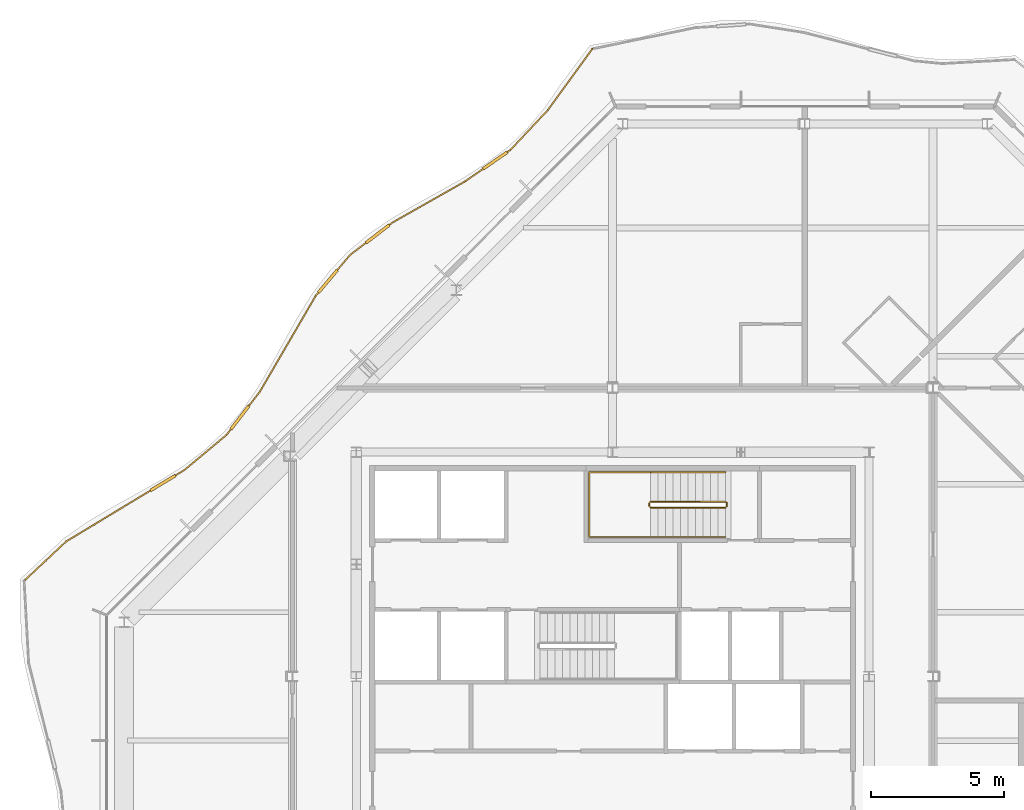
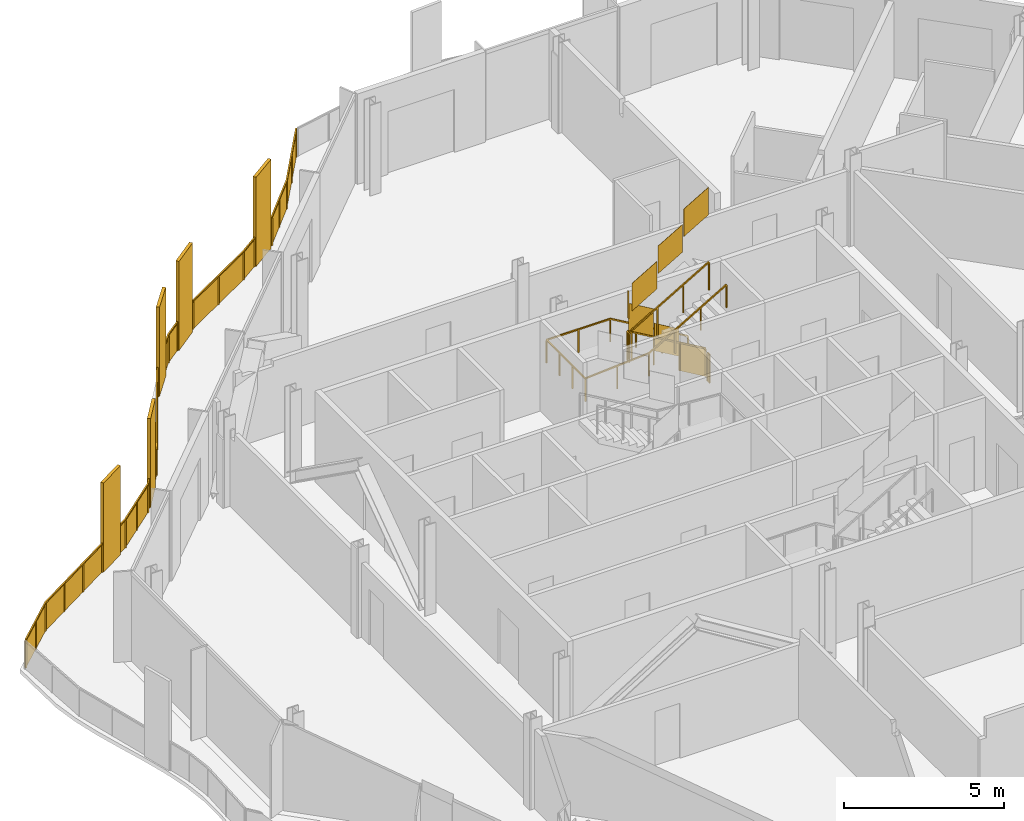
# One storey, part 16 of 17: 4 railings.
"""IFC4 building model written with IfcOpenShell, lengths in metres."""

from ifc_helpers import new_model, si_unit, direction, frame, origin, origin_2d, place, context, subcontext, project, spatial, polyline, rectangle, outline, extrude, material, type_object, element, save


model = new_model("IFC4")

# Units and contexts
model_context = context("Model", 3, precision=1e-05, world=origin(), true_north=direction((0.0, 1.0)))
body_context = subcontext(model_context, "Body", "Model", "MODEL_VIEW")
ifc_project = project(units=[si_unit("LENGTHUNIT", "METRE"), si_unit("AREAUNIT", "SQUARE_METRE"), si_unit("VOLUMEUNIT", "CUBIC_METRE"), si_unit("PLANEANGLEUNIT", "RADIAN"), si_unit("MASSUNIT", "GRAM", prefix="KILO")], contexts=[model_context])

# Site, building, storey
site_placement = place(None, origin())
site = spatial("IfcSite", under=ifc_project, at=site_placement, CompositionType="ELEMENT")
building_placement = place(site_placement, origin())
building = spatial("IfcBuilding", under=site, at=building_placement, Name="Cairn Pilgrim Tower", CompositionType="ELEMENT")
storey_placement = place(building_placement, frame((0.0, 0.0, 274.199951171875)))
storey = spatial("IfcBuildingStorey", under=building, at=storey_placement, Name="L70", CompositionType="ELEMENT", Elevation=274.199951171875)

# Railings
ifc_material_1 = material(Name="Bronze anodised aluminium rail, posts and fin screens with laminated glass infill", Category="aluminium")
railing_type_1 = type_object("IfcRailingType", Name="BALCONY GUARD WITH FIN SCREENS", PredefinedType="GUARDRAIL", material=ifc_material_1)
railing_1_placement = place(storey_placement, frame((6.440185546875, 25.90966796875, 0.0)))
element("IfcRailing", 1, at=railing_1_placement, inside=storey, type_object=railing_type_1, Name="Balcony guard BGF-5 with fin screens", PredefinedType="GUARDRAIL", context=body_context, shape_type="SweptSolid", body=[
    extrude(rectangle(XDim=0.050048828125, YDim=0.050048828125, at=origin_2d()), frame((0.0, 0.0, 1.0751953125), z_axis=(-0.588044137512, -0.808828839952, 0.0), x_axis=(0.808828839952, -0.588044137512, 0.0)), (0.0, 0.0, 1.0), 2.84521484375),
    extrude(rectangle(XDim=0.050048828125, YDim=0.050048828125, at=origin_2d()), frame((-1.673095703125, -2.30126953125, 1.0751953125), z_axis=(-0.684777682799, -0.728752032683, 0.0), x_axis=(0.728752032683, -0.684777682799, 0.0)), (0.0, 0.0, 1.0), 2.03759765625),
    extrude(rectangle(XDim=1.10009765625, YDim=0.110107421875, at=origin_2d()), frame((-3.643310546875, -4.18505859375, 0.0), z_axis=(0.0, 0.0, 1.0), x_axis=(-0.821545199593, -0.570143389882, 0.0)), (0.0, 0.0, 1.0), 3.39990234375),
    extrude(rectangle(XDim=0.050048828125, YDim=0.050048828125, at=origin_2d()), frame((-3.068359375, -3.7861328125, 1.0751953125), z_axis=(-0.821545199593, -0.570143389882, 0.0), x_axis=(0.570143389882, -0.821545199593, 0.0)), (0.0, 0.0, 1.0), 0.14990234375),
    extrude(rectangle(XDim=0.050048828125, YDim=0.050048828125, at=origin_2d()), frame((-4.09521484375, -4.498779296875, 1.0751953125), z_axis=(-0.821545199593, -0.570143389882, 0.0), x_axis=(0.570143389882, -0.821545199593, 0.0)), (0.0, 0.0, 1.0), 0.816650390625),
    extrude(rectangle(XDim=0.050048828125, YDim=0.050048828125, at=origin_2d()), frame((-4.76611328125, -4.96435546875, 1.0751953125), z_axis=(-0.869877009497, -0.493268677648, 0.0), x_axis=(0.493268677648, -0.869877009497, 0.0)), (0.0, 0.0, 1.0), 3.12646484375),
    extrude(rectangle(XDim=1.10009765625, YDim=0.110107421875, at=origin_2d()), frame((-8.0419921875, -6.931396484375, 0.0), z_axis=(0.0, 0.0, 1.0), x_axis=(-0.794776367634, -0.606902401915, 0.0)), (0.0, 0.0, 1.0), 3.39990234375),
    extrude(rectangle(XDim=0.050048828125, YDim=0.050048828125, at=origin_2d()), frame((-7.48583984375, -6.506591796875, 1.0751953125), z_axis=(-0.794776367634, -0.606902401915, 0.0), x_axis=(0.606902401915, -0.794776367634, 0.0)), (0.0, 0.0, 1.0), 0.14990234375),
    extrude(rectangle(XDim=0.050048828125, YDim=0.050048828125, at=origin_2d()), frame((-8.479248046875, -7.26513671875, 1.0751953125), z_axis=(-0.794776367634, -0.606902401915, 0.0), x_axis=(0.606902401915, -0.794776367634, 0.0)), (0.0, 0.0, 1.0), 0.752685546875),
    extrude(rectangle(XDim=1.10009765625, YDim=0.110107421875, at=origin_2d()), frame((-9.90771484375, -8.7080078125, 0.0), z_axis=(0.0, 0.0, 1.0), x_axis=(-0.644075274988, -0.764962116806, 0.0)), (0.0, 0.0, 1.0), 3.39990234375),
    extrude(rectangle(XDim=0.050048828125, YDim=0.050048828125, at=origin_2d()), frame((-9.077392578125, -7.721923828125, 1.0751953125), z_axis=(-0.644075274988, -0.764962116806, 0.0), x_axis=(0.764962116806, -0.644075274988, 0.0)), (0.0, 0.0, 1.0), 0.7392578125),
    extrude(rectangle(XDim=0.050048828125, YDim=0.050048828125, at=origin_2d()), frame((-10.261962890625, -9.12890625, 1.0751953125), z_axis=(-0.644075274988, -0.764962116806, 0.0), x_axis=(0.764962116806, -0.644075274988, 0.0)), (0.0, 0.0, 1.0), 0.150146484375),
    extrude(rectangle(XDim=0.050048828125, YDim=0.050048828125, at=origin_2d()), frame((-10.358642578125, -9.24365234375, 1.0751953125), z_axis=(-0.50322459228, -0.864155662901, 0.0), x_axis=(0.864155662901, -0.50322459228, 0.0)), (0.0, 0.0, 1.0), 4.1572265625),
    extrude(rectangle(XDim=1.10009765625, YDim=0.110107421875, at=origin_2d()), frame((-13.2021484375, -13.811279296875, 0.0), z_axis=(0.0, 0.0, 1.0), x_axis=(-0.610388264115, -0.792102371559, 0.0)), (0.0, 0.0, 1.0), 3.39990234375),
    extrude(rectangle(XDim=0.050048828125, YDim=0.050048828125, at=origin_2d()), frame((-12.45068359375, -12.836181640625, 1.0751953125), z_axis=(-0.610388264115, -0.792102371559, 0.0), x_axis=(0.792102371559, -0.610388264115, 0.0)), (0.0, 0.0, 1.0), 0.68115234375),
    extrude(rectangle(XDim=0.050048828125, YDim=0.050048828125, at=origin_2d()), frame((-13.537841796875, -14.2470703125, 1.0751953125), z_axis=(-0.610388264115, -0.792102371559, 0.0), x_axis=(0.792102371559, -0.610388264115, 0.0)), (0.0, 0.0, 1.0), 0.273193359375),
    extrude(rectangle(XDim=0.050048828125, YDim=0.050048828125, at=origin_2d()), frame((-13.70458984375, -14.46337890625, 1.0751953125), z_axis=(-0.768123535554, -0.640301674313, 0.0), x_axis=(0.640301674313, -0.768123535554, 0.0)), (0.0, 0.0, 1.0), 2.047607421875),
    extrude(rectangle(XDim=1.10009765625, YDim=0.110107421875, at=origin_2d()), frame((-16.08642578125, -16.26318359375, 0.0), z_axis=(0.0, 0.0, 1.0), x_axis=(-0.855911191599, -0.517122840432, 0.0)), (0.0, 0.0, 1.0), 3.39990234375),
    extrude(rectangle(XDim=0.050048828125, YDim=0.050048828125, at=origin_2d()), frame((-15.27734375, -15.7744140625, 1.0751953125), z_axis=(-0.855911191599, -0.517122840432, 0.0), x_axis=(0.517122840432, -0.855911191599, 0.0)), (0.0, 0.0, 1.0), 0.395263671875),
    extrude(rectangle(XDim=0.050048828125, YDim=0.050048828125, at=origin_2d()), frame((-16.55712890625, -16.547607421875, 1.0751953125), z_axis=(-0.855911191599, -0.517122840432, 0.0), x_axis=(0.517122840432, -0.855911191599, 0.0)), (0.0, 0.0, 1.0), 3.679443359375),
    extrude(rectangle(XDim=0.050048828125, YDim=0.050048828125, at=origin_2d()), frame((-19.70654296875, -18.450439453125, 1.0751953125), z_axis=(-0.7298846134, -0.683570370278, 0.0), x_axis=(0.683570370278, -0.7298846134, 0.0)), (0.0, 0.0, 1.0), 2.103271484375),
    extrude(rectangle(XDim=0.050048828125, YDim=0.050048828125, at=origin_2d()), origin(), (0.0, 0.0, 1.0), 1.050048828125),
    extrude(rectangle(XDim=0.050048828125, YDim=0.050048828125, at=origin_2d()), frame((-0.83642578125, -1.150634765625, 0.0)), (0.0, 0.0, 1.0), 1.050048828125),
    extrude(rectangle(XDim=0.050048828125, YDim=0.050048828125, at=origin_2d()), frame((-1.673095703125, -2.30126953125, 0.0)), (0.0, 0.0, 1.0), 1.050048828125),
    extrude(rectangle(XDim=0.050048828125, YDim=0.050048828125, at=origin_2d()), frame((-2.37060546875, -3.043701171875, 0.0)), (0.0, 0.0, 1.0), 1.050048828125),
    extrude(rectangle(XDim=0.050048828125, YDim=0.050048828125, at=origin_2d()), frame((-3.068359375, -3.7861328125, 0.0)), (0.0, 0.0, 1.0), 1.050048828125),
    extrude(rectangle(XDim=0.050048828125, YDim=0.050048828125, at=origin_2d()), frame((-3.1708984375, -3.857421875, 0.0)), (0.0, 0.0, 1.0), 1.050048828125),
    extrude(rectangle(XDim=0.050048828125, YDim=0.050048828125, at=origin_2d()), frame((-4.11572265625, -4.512939453125, 0.0)), (0.0, 0.0, 1.0), 1.050048828125),
    extrude(rectangle(XDim=0.050048828125, YDim=0.050048828125, at=origin_2d()), frame((-4.76611328125, -4.96435546875, 0.0)), (0.0, 0.0, 1.0), 1.050048828125),
    extrude(rectangle(XDim=0.050048828125, YDim=0.050048828125, at=origin_2d()), frame((-6.1259765625, -5.7353515625, 0.0)), (0.0, 0.0, 1.0), 1.050048828125),
    extrude(rectangle(XDim=0.050048828125, YDim=0.050048828125, at=origin_2d()), frame((-7.48583984375, -6.506591796875, 0.0)), (0.0, 0.0, 1.0), 1.050048828125),
    extrude(rectangle(XDim=0.050048828125, YDim=0.050048828125, at=origin_2d()), frame((-7.5849609375, -6.582275390625, 0.0)), (0.0, 0.0, 1.0), 1.050048828125),
    extrude(rectangle(XDim=0.050048828125, YDim=0.050048828125, at=origin_2d()), frame((-8.4990234375, -7.2802734375, 0.0)), (0.0, 0.0, 1.0), 1.050048828125),
    extrude(rectangle(XDim=0.050048828125, YDim=0.050048828125, at=origin_2d()), frame((-9.077392578125, -7.721923828125, 0.0)), (0.0, 0.0, 1.0), 1.050048828125),
    extrude(rectangle(XDim=0.050048828125, YDim=0.050048828125, at=origin_2d()), frame((-9.537353515625, -8.268310546875, 0.0)), (0.0, 0.0, 1.0), 1.050048828125),
    extrude(rectangle(XDim=0.050048828125, YDim=0.050048828125, at=origin_2d()), frame((-10.278076171875, -9.14794921875, 0.0)), (0.0, 0.0, 1.0), 1.050048828125),
    extrude(rectangle(XDim=0.050048828125, YDim=0.050048828125, at=origin_2d()), frame((-10.358642578125, -9.24365234375, 0.0)), (0.0, 0.0, 1.0), 1.050048828125),
    extrude(rectangle(XDim=0.050048828125, YDim=0.050048828125, at=origin_2d()), frame((-11.055908203125, -10.441162109375, 0.0)), (0.0, 0.0, 1.0), 1.050048828125),
    extrude(rectangle(XDim=0.050048828125, YDim=0.050048828125, at=origin_2d()), frame((-11.75341796875, -11.638671875, 0.0)), (0.0, 0.0, 1.0), 1.050048828125),
    extrude(rectangle(XDim=0.050048828125, YDim=0.050048828125, at=origin_2d()), frame((-12.45068359375, -12.836181640625, 0.0)), (0.0, 0.0, 1.0), 1.050048828125),
    extrude(rectangle(XDim=0.050048828125, YDim=0.050048828125, at=origin_2d()), frame((-12.85107421875, -13.35595703125, 0.0)), (0.0, 0.0, 1.0), 1.050048828125),
    extrude(rectangle(XDim=0.050048828125, YDim=0.050048828125, at=origin_2d()), frame((-13.55322265625, -14.266845703125, 0.0)), (0.0, 0.0, 1.0), 1.050048828125),
    extrude(rectangle(XDim=0.050048828125, YDim=0.050048828125, at=origin_2d()), frame((-13.70458984375, -14.46337890625, 0.0)), (0.0, 0.0, 1.0), 1.050048828125),
    extrude(rectangle(XDim=0.050048828125, YDim=0.050048828125, at=origin_2d()), frame((-14.490966796875, -15.118896484375, 0.0)), (0.0, 0.0, 1.0), 1.050048828125),
    extrude(rectangle(XDim=0.050048828125, YDim=0.050048828125, at=origin_2d()), frame((-15.27734375, -15.7744140625, 0.0)), (0.0, 0.0, 1.0), 1.050048828125),
    extrude(rectangle(XDim=0.050048828125, YDim=0.050048828125, at=origin_2d()), frame((-15.59423828125, -15.9658203125, 0.0)), (0.0, 0.0, 1.0), 1.050048828125),
    extrude(rectangle(XDim=0.050048828125, YDim=0.050048828125, at=origin_2d()), frame((-16.57861328125, -16.560546875, 0.0)), (0.0, 0.0, 1.0), 1.050048828125),
    extrude(rectangle(XDim=0.050048828125, YDim=0.050048828125, at=origin_2d()), frame((-17.621337890625, -17.1904296875, 0.0)), (0.0, 0.0, 1.0), 1.050048828125),
    extrude(rectangle(XDim=0.050048828125, YDim=0.050048828125, at=origin_2d()), frame((-18.663818359375, -17.820556640625, 0.0)), (0.0, 0.0, 1.0), 1.050048828125),
    extrude(rectangle(XDim=0.050048828125, YDim=0.050048828125, at=origin_2d()), frame((-19.70654296875, -18.450439453125, 0.0)), (0.0, 0.0, 1.0), 1.050048828125),
    extrude(rectangle(XDim=0.050048828125, YDim=0.050048828125, at=origin_2d()), frame((-20.47412109375, -19.16943359375, 0.0)), (0.0, 0.0, 1.0), 1.050048828125),
    extrude(rectangle(XDim=0.050048828125, YDim=0.050048828125, at=origin_2d()), frame((-21.24169921875, -19.88818359375, 0.0)), (0.0, 0.0, 1.0), 1.050048828125),
    extrude(outline(polyline([(0.02490234375, 0.0), (1.3974609375, 0.0), (1.3974609375, 1.050048828125), (0.02490234375, 1.050048828125), (0.02490234375, 0.0)])), frame((0.0048828125, -0.00341796875, 0.0), z_axis=(-0.808828839952, 0.588044137512, 0.0), x_axis=(-0.588044137512, -0.808828839952, 0.0)), (0.0, 0.0, 1.0), 0.011962890625),
    extrude(outline(polyline([(0.02490234375, 0.0), (1.3974609375, 0.0), (1.3974609375, 1.050048828125), (0.02490234375, 1.050048828125), (0.02490234375, 0.0)])), frame((-0.831787109375, -1.154052734375, 0.0), z_axis=(-0.808828839952, 0.588044137512, 0.0), x_axis=(-0.588044137512, -0.808828839952, 0.0)), (0.0, 0.0, 1.0), 0.011962890625),
    extrude(outline(polyline([(0.02490234375, 0.0), (0.99365234375, 0.0), (0.99365234375, 1.050048828125), (0.02490234375, 1.050048828125), (0.02490234375, 0.0)])), frame((-1.668701171875, -2.305419921875, 0.0), z_axis=(-0.728752032683, 0.684777682799, 0.0), x_axis=(-0.684777682799, -0.728752032683, 0.0)), (0.0, 0.0, 1.0), 0.011962890625),
    extrude(outline(polyline([(0.02490234375, 0.0), (0.99365234375, 0.0), (0.99365234375, 1.050048828125), (0.02490234375, 1.050048828125), (0.02490234375, 0.0)])), frame((-2.366455078125, -3.0478515625, 0.0), z_axis=(-0.728752032683, 0.684777682799, 0.0), x_axis=(-0.684777682799, -0.728752032683, 0.0)), (0.0, 0.0, 1.0), 0.011962890625),
    extrude(outline(polyline([(0.02490234375, 0.0), (0.099853515625, 0.0), (0.099853515625, 1.050048828125), (0.02490234375, 1.050048828125), (0.02490234375, 0.0)])), frame((-3.06494140625, -3.791015625, 0.0), z_axis=(-0.570143389882, 0.821545199593, 0.0), x_axis=(-0.821545199593, -0.570143389882, 0.0)), (0.0, 0.0, 1.0), 0.011962890625),
    extrude(outline(polyline([(0.02490234375, 0.0), (0.7666015625, 0.0), (0.7666015625, 1.050048828125), (0.02490234375, 1.050048828125), (0.02490234375, 0.0)])), frame((-4.1123046875, -4.517822265625, 0.0), z_axis=(-0.570143389882, 0.821545199593, 0.0), x_axis=(-0.821545199593, -0.570143389882, 0.0)), (0.0, 0.0, 1.0), 0.011962890625),
    extrude(outline(polyline([(0.02490234375, 0.0), (1.538330078125, 0.0), (1.538330078125, 1.050048828125), (0.02490234375, 1.050048828125), (0.02490234375, 0.0)])), frame((-4.76318359375, -4.969482421875, 0.0), z_axis=(-0.493268677648, 0.869877009497, 0.0), x_axis=(-0.869877009497, -0.493268677648, 0.0)), (0.0, 0.0, 1.0), 0.011962890625),
    extrude(outline(polyline([(0.02490234375, 0.0), (1.538330078125, 0.0), (1.538330078125, 1.050048828125), (0.02490234375, 1.050048828125), (0.02490234375, 0.0)])), frame((-6.123046875, -5.74072265625, 0.0), z_axis=(-0.493268677648, 0.869877009497, 0.0), x_axis=(-0.869877009497, -0.493268677648, 0.0)), (0.0, 0.0, 1.0), 0.011962890625),
    extrude(outline(polyline([(0.02490234375, 0.0), (0.099853515625, 0.0), (0.099853515625, 1.050048828125), (0.02490234375, 1.050048828125), (0.02490234375, 0.0)])), frame((-7.482177734375, -6.51123046875, 0.0), z_axis=(-0.606902401915, 0.794776367634, 0.0), x_axis=(-0.794776367634, -0.606902401915, 0.0)), (0.0, 0.0, 1.0), 0.011962890625),
    extrude(outline(polyline([(0.02490234375, 0.0), (0.70263671875, 0.0), (0.70263671875, 1.050048828125), (0.02490234375, 1.050048828125), (0.02490234375, 0.0)])), frame((-8.495361328125, -7.28515625, 0.0), z_axis=(-0.606902401915, 0.794776367634, 0.0), x_axis=(-0.794776367634, -0.606902401915, 0.0)), (0.0, 0.0, 1.0), 0.011962890625),
    extrude(outline(polyline([(0.02490234375, 0.0), (0.689208984375, 0.0), (0.689208984375, 1.050048828125), (0.02490234375, 1.050048828125), (0.02490234375, 0.0)])), frame((-9.07275390625, -7.725830078125, 0.0), z_axis=(-0.764962116806, 0.644075274988, 0.0), x_axis=(-0.644075274988, -0.764962116806, 0.0)), (0.0, 0.0, 1.0), 0.011962890625),
    extrude(outline(polyline([(0.02490234375, 0.0), (0.10009765625, 0.0), (0.10009765625, 1.050048828125), (0.02490234375, 1.050048828125), (0.02490234375, 0.0)])), frame((-10.2734375, -9.15185546875, 0.0), z_axis=(-0.764962116806, 0.644075274988, 0.0), x_axis=(-0.644075274988, -0.764962116806, 0.0)), (0.0, 0.0, 1.0), 0.011962890625),
    extrude(outline(polyline([(0.02490234375, 0.0), (1.36083984375, 0.0), (1.36083984375, 1.050048828125), (0.02490234375, 1.050048828125), (0.02490234375, 0.0)])), frame((-10.353515625, -9.24658203125, 0.0), z_axis=(-0.864155662901, 0.50322459228, 0.0), x_axis=(-0.50322459228, -0.864155662901, 0.0)), (0.0, 0.0, 1.0), 0.011962890625),
    extrude(outline(polyline([(0.02490234375, 0.0), (1.36083984375, 0.0), (1.36083984375, 1.050048828125), (0.02490234375, 1.050048828125), (0.02490234375, 0.0)])), frame((-11.05078125, -10.444091796875, 0.0), z_axis=(-0.864155662901, 0.50322459228, 0.0), x_axis=(-0.50322459228, -0.864155662901, 0.0)), (0.0, 0.0, 1.0), 0.011962890625),
    extrude(outline(polyline([(0.02490234375, 0.0), (1.36083984375, 0.0), (1.36083984375, 1.050048828125), (0.02490234375, 1.050048828125), (0.02490234375, 0.0)])), frame((-11.748046875, -11.6416015625, 0.0), z_axis=(-0.864155662901, 0.50322459228, 0.0), x_axis=(-0.50322459228, -0.864155662901, 0.0)), (0.0, 0.0, 1.0), 0.011962890625),
    extrude(outline(polyline([(0.02490234375, 0.0), (0.631103515625, 0.0), (0.631103515625, 1.050048828125), (0.02490234375, 1.050048828125), (0.02490234375, 0.0)])), frame((-12.446044921875, -12.83984375, 0.0), z_axis=(-0.792102371559, 0.610388264115, 0.0), x_axis=(-0.610388264115, -0.792102371559, 0.0)), (0.0, 0.0, 1.0), 0.011962890625),
    extrude(outline(polyline([(0.02490234375, 0.0), (0.22314453125, 0.0), (0.22314453125, 1.050048828125), (0.02490234375, 1.050048828125), (0.02490234375, 0.0)])), frame((-13.54833984375, -14.2705078125, 0.0), z_axis=(-0.792102371559, 0.610388264115, 0.0), x_axis=(-0.610388264115, -0.792102371559, 0.0)), (0.0, 0.0, 1.0), 0.011962890625),
    extrude(outline(polyline([(0.02490234375, 0.0), (0.998779296875, 0.0), (0.998779296875, 1.050048828125), (0.02490234375, 1.050048828125), (0.02490234375, 0.0)])), frame((-13.70068359375, -14.468017578125, 0.0), z_axis=(-0.640301674313, 0.768123535554, 0.0), x_axis=(-0.768123535554, -0.640301674313, 0.0)), (0.0, 0.0, 1.0), 0.011962890625),
    extrude(outline(polyline([(0.02490234375, 0.0), (0.998779296875, 0.0), (0.998779296875, 1.050048828125), (0.02490234375, 1.050048828125), (0.02490234375, 0.0)])), frame((-14.487060546875, -15.12353515625, 0.0), z_axis=(-0.640301674313, 0.768123535554, 0.0), x_axis=(-0.768123535554, -0.640301674313, 0.0)), (0.0, 0.0, 1.0), 0.011962890625),
    extrude(outline(polyline([(0.02490234375, 0.0), (0.34521484375, 0.0), (0.34521484375, 1.050048828125), (0.02490234375, 1.050048828125), (0.02490234375, 0.0)])), frame((-15.274169921875, -15.779541015625, 0.0), z_axis=(-0.517122840432, 0.855911191599, 0.0), x_axis=(-0.855911191599, -0.517122840432, 0.0)), (0.0, 0.0, 1.0), 0.011962890625),
    extrude(outline(polyline([(0.02490234375, 0.0), (1.193115234375, 0.0), (1.193115234375, 1.050048828125), (0.02490234375, 1.050048828125), (0.02490234375, 0.0)])), frame((-16.575439453125, -16.565673828125, 0.0), z_axis=(-0.517122840432, 0.855911191599, 0.0), x_axis=(-0.855911191599, -0.517122840432, 0.0)), (0.0, 0.0, 1.0), 0.011962890625),
    extrude(outline(polyline([(0.02490234375, 0.0), (1.193115234375, 0.0), (1.193115234375, 1.050048828125), (0.02490234375, 1.050048828125), (0.02490234375, 0.0)])), frame((-17.6181640625, -17.195556640625, 0.0), z_axis=(-0.517122840432, 0.855911191599, 0.0), x_axis=(-0.855911191599, -0.517122840432, 0.0)), (0.0, 0.0, 1.0), 0.011962890625),
    extrude(outline(polyline([(0.02490234375, 0.0), (1.193115234375, 0.0), (1.193115234375, 1.050048828125), (0.02490234375, 1.050048828125), (0.02490234375, 0.0)])), frame((-18.660888671875, -17.82568359375, 0.0), z_axis=(-0.517122840432, 0.855911191599, 0.0), x_axis=(-0.855911191599, -0.517122840432, 0.0)), (0.0, 0.0, 1.0), 0.011962890625),
    extrude(outline(polyline([(0.02490234375, 0.0), (1.026611328125, 0.0), (1.026611328125, 1.050048828125), (0.02490234375, 1.050048828125), (0.02490234375, 0.0)])), frame((-19.702392578125, -18.454833984375, 0.0), z_axis=(-0.683570370278, 0.7298846134, 0.0), x_axis=(-0.7298846134, -0.683570370278, 0.0)), (0.0, 0.0, 1.0), 0.011962890625),
    extrude(outline(polyline([(0.02490234375, 0.0), (1.026611328125, 0.0), (1.026611328125, 1.050048828125), (0.02490234375, 1.050048828125), (0.02490234375, 0.0)])), frame((-20.469970703125, -19.173583984375, 0.0), z_axis=(-0.683570370278, 0.7298846134, 0.0), x_axis=(-0.7298846134, -0.683570370278, 0.0)), (0.0, 0.0, 1.0), 0.011962890625),
])
ifc_material_2 = material(Name="Painted steel", Category="steel")
railing_type_2 = type_object("IfcRailingType", Name="STAIR GUARD 1100", PredefinedType="GUARDRAIL", material=ifc_material_2)
railing_2_placement = place(storey_placement, frame((11.425048828125, 8.949951171875, 0.16357421875)))
element("IfcRailing", 2, at=railing_2_placement, inside=storey, type_object=railing_type_2, Name="L70 ST-C stair guard 1", PredefinedType="GUARDRAIL", context=body_context, shape_type="SweptSolid", body=[
    extrude(rectangle(XDim=0.048095703125, YDim=0.048095703125, at=origin_2d()), frame((0.0, 0.0, 1.076171875), z_axis=(-0.863360870873, 0.0, 0.504586966384), x_axis=(0.0, -1.0, 0.0)), (0.0, 0.0, 1.0), 3.2431640625),
    extrude(rectangle(XDim=0.048095703125, YDim=0.048095703125, at=origin_2d()), frame((-2.800048828125, 0.0, 2.71240234375), z_axis=(-0.707106781187, -0.707106781187, 0.0), x_axis=(0.707106781187, -0.707106781187, 0.0)), (0.0, 0.0, 1.0), 0.07080078125),
    extrude(rectangle(XDim=0.048095703125, YDim=0.048095703125, at=origin_2d()), frame((-2.85009765625, -0.050048828125, 2.71240234375), z_axis=(0.0, -1.0, 0.0), x_axis=(1.0, 0.0, 0.0)), (0.0, 0.0, 1.0), 0.125),
    extrude(rectangle(XDim=0.048095703125, YDim=0.048095703125, at=origin_2d()), frame((-2.85009765625, -0.175048828125, 2.71240234375), z_axis=(0.280916556609, -0.279546231943, 0.91811752648), x_axis=(0.705375805398, 0.708833529934, 0.0)), (0.0, 0.0, 1.0), 0.17822265625),
    extrude(rectangle(XDim=0.048095703125, YDim=0.048095703125, at=origin_2d()), frame((-2.800048828125, -0.224853515625, 2.8759765625), z_axis=(0.863360870873, 0.0, 0.504586966384), x_axis=(0.0, 1.0, 0.0)), (0.0, 0.0, 1.0), 3.2431640625),
    extrude(rectangle(XDim=0.0419921875, YDim=0.0419921875, at=origin_2d()), origin(), (0.0, 0.0, 1.0), 1.052001953125),
    extrude(rectangle(XDim=0.0419921875, YDim=0.0419921875, at=origin_2d()), frame((-0.933349609375, 0.0, 0.54541015625)), (0.0, 0.0, 1.0), 1.052001953125),
    extrude(rectangle(XDim=0.0419921875, YDim=0.0419921875, at=origin_2d()), frame((-1.86669921875, 0.0, 1.091064453125)), (0.0, 0.0, 1.0), 1.052001953125),
    extrude(rectangle(XDim=0.0419921875, YDim=0.0419921875, at=origin_2d()), frame((-2.800048828125, 0.0, 1.636474609375)), (0.0, 0.0, 1.0), 1.052001953125),
    extrude(rectangle(XDim=0.0419921875, YDim=0.0419921875, at=origin_2d()), frame((-2.85009765625, -0.050048828125, 1.636474609375)), (0.0, 0.0, 1.0), 1.052001953125),
    extrude(rectangle(XDim=0.0419921875, YDim=0.0419921875, at=origin_2d()), frame((-2.85009765625, -0.175048828125, 1.636474609375)), (0.0, 0.0, 1.0), 1.052001953125),
    extrude(rectangle(XDim=0.0419921875, YDim=0.0419921875, at=origin_2d()), frame((-2.800048828125, -0.224853515625, 1.800048828125)), (0.0, 0.0, 1.0), 1.052001953125),
    extrude(rectangle(XDim=0.0419921875, YDim=0.0419921875, at=origin_2d()), frame((-1.86669921875, -0.224853515625, 2.345458984375)), (0.0, 0.0, 1.0), 1.052001953125),
    extrude(rectangle(XDim=0.0419921875, YDim=0.0419921875, at=origin_2d()), frame((-0.933349609375, -0.224853515625, 2.89111328125)), (0.0, 0.0, 1.0), 1.052001953125),
    extrude(rectangle(XDim=0.0419921875, YDim=0.0419921875, at=origin_2d()), frame((0.0, -0.224853515625, 3.4365234375)), (0.0, 0.0, 1.0), 1.052001953125),
    extrude(outline(polyline([(0.02099609375, 0.01220703125), (0.912353515625, 0.533203125), (0.912353515625, 1.585205078125), (0.02099609375, 1.064208984375), (0.02099609375, 0.01220703125)])), frame((0.0, -0.005859375, 0.0), z_axis=(0.0, 1.0, 0.0), x_axis=(-1.0, 0.0, 0.0)), (0.0, 0.0, 1.0), 0.011962890625),
    extrude(outline(polyline([(0.02099609375, 0.557861328125), (0.912353515625, 1.07861328125), (0.912353515625, 2.130615234375), (0.02099609375, 1.60986328125), (0.02099609375, 0.557861328125)])), frame((-0.933349609375, -0.005859375, 0.54541015625), z_axis=(0.0, 1.0, 0.0), x_axis=(-1.0, 0.0, 0.0)), (0.0, 0.0, 1.0), 0.011962890625),
    extrude(outline(polyline([(0.02099609375, 1.103271484375), (0.912353515625, 1.624267578125), (0.912353515625, 2.67626953125), (0.02099609375, 2.1552734375), (0.02099609375, 1.103271484375)])), frame((-1.86669921875, -0.005859375, 1.091064453125), z_axis=(0.0, 1.0, 0.0), x_axis=(-1.0, 0.0, 0.0)), (0.0, 0.0, 1.0), 0.011962890625),
    extrude(outline(polyline([(0.02099609375, 1.636474609375), (0.10400390625, 1.636474609375), (0.10400390625, 2.6884765625), (0.02099609375, 2.6884765625), (0.02099609375, 1.636474609375)])), frame((-2.84423828125, -0.050048828125, 1.636474609375), z_axis=(-1.0, 0.0, 0.0), x_axis=(0.0, -1.0, 0.0)), (0.0, 0.0, 1.0), 0.011962890625),
    extrude(outline(polyline([(0.02099609375, 1.812255859375), (0.912353515625, 2.333251953125), (0.912353515625, 3.38525390625), (0.02099609375, 2.8642578125), (0.02099609375, 1.812255859375)])), frame((-2.800048828125, -0.21875, 1.800048828125), z_axis=(0.0, -1.0, 0.0), x_axis=(1.0, 0.0, 0.0)), (0.0, 0.0, 1.0), 0.011962890625),
    extrude(outline(polyline([(0.02099609375, 2.35791015625), (0.912353515625, 2.878662109375), (0.912353515625, 3.9306640625), (0.02099609375, 3.409912109375), (0.02099609375, 2.35791015625)])), frame((-1.86669921875, -0.21875, 2.345458984375), z_axis=(0.0, -1.0, 0.0), x_axis=(1.0, 0.0, 0.0)), (0.0, 0.0, 1.0), 0.011962890625),
    extrude(outline(polyline([(0.02099609375, 2.9033203125), (0.912353515625, 3.42431640625), (0.912353515625, 4.476318359375), (0.02099609375, 3.955322265625), (0.02099609375, 2.9033203125)])), frame((-0.933349609375, -0.21875, 2.89111328125), z_axis=(0.0, -1.0, 0.0), x_axis=(1.0, 0.0, 0.0)), (0.0, 0.0, 1.0), 0.011962890625),
])
railing_3_placement = place(storey_placement, frame((11.47509765625, 8.89990234375, 0.0)))
element("IfcRailing", 3, at=railing_3_placement, inside=storey, type_object=railing_type_2, Name="L70 ST-C stair guard 2", PredefinedType="GUARDRAIL", context=body_context, shape_type="SweptSolid", body=[
    extrude(rectangle(XDim=0.048095703125, YDim=0.048095703125, at=origin_2d()), frame((0.0, 0.0, 1.076171875), z_axis=(0.0, -1.0, 0.0), x_axis=(1.0, 0.0, 0.0)), (0.0, 0.0, 1.0), 0.125),
    extrude(rectangle(XDim=0.0419921875, YDim=0.0419921875, at=origin_2d()), origin(), (0.0, 0.0, 1.0), 1.052001953125),
    extrude(rectangle(XDim=0.0419921875, YDim=0.0419921875, at=origin_2d()), frame((0.0, -0.125, 0.0)), (0.0, 0.0, 1.0), 1.052001953125),
    extrude(outline(polyline([(0.02099609375, 0.0), (0.10400390625, 0.0), (0.10400390625, 1.052001953125), (0.02099609375, 1.052001953125), (0.02099609375, 0.0)])), frame((0.005859375, 0.0, 0.0), z_axis=(-1.0, 0.0, 0.0), x_axis=(0.0, -1.0, 0.0)), (0.0, 0.0, 1.0), 0.011962890625),
])
railing_type_3 = type_object("IfcRailingType", Name="STAIR HANDRAIL 900", PredefinedType="HANDRAIL", material=ifc_material_2)
railing_4_placement = place(storey_placement, frame((11.425048828125, 10.050048828125, 0.16357421875)))
element("IfcRailing", 4, at=railing_4_placement, inside=storey, type_object=railing_type_3, Name="L70 ST-C stair handrail 1", PredefinedType="HANDRAIL", context=body_context, shape_type="SweptSolid", body=[
    extrude(rectangle(XDim=0.048095703125, YDim=0.048095703125, at=origin_2d()), frame((0.0, 0.0, 0.8759765625), z_axis=(-0.863360870873, 0.0, 0.504586966384), x_axis=(0.0, -1.0, 0.0)), (0.0, 0.0, 1.0), 3.2431640625),
    extrude(rectangle(XDim=0.048095703125, YDim=0.048095703125, at=origin_2d()), frame((-2.800048828125, 0.0, 2.51220703125), z_axis=(-1.0, 0.0, 0.0), x_axis=(0.0, -1.0, 0.0)), (0.0, 0.0, 1.0), 2.300048828125),
    extrude(rectangle(XDim=0.048095703125, YDim=0.048095703125, at=origin_2d()), frame((-5.10009765625, 0.0, 2.51220703125), z_axis=(0.0, -1.0, 0.0), x_axis=(1.0, 0.0, 0.0)), (0.0, 0.0, 1.0), 2.425048828125),
    extrude(rectangle(XDim=0.048095703125, YDim=0.048095703125, at=origin_2d()), frame((-5.10009765625, -2.425048828125, 2.51220703125), z_axis=(0.997480687736, 0.0, 0.070938548008), x_axis=(0.0, 1.0, 0.0)), (0.0, 0.0, 1.0), 2.305908203125),
    extrude(rectangle(XDim=0.048095703125, YDim=0.048095703125, at=origin_2d()), frame((-2.800048828125, -2.425048828125, 2.67578125), z_axis=(0.863360870873, 0.0, 0.504586966384), x_axis=(0.0, 1.0, 0.0)), (0.0, 0.0, 1.0), 3.2431640625),
    extrude(rectangle(XDim=0.0419921875, YDim=0.0419921875, at=origin_2d()), origin(), (0.0, 0.0, 1.0), 0.851806640625),
    extrude(rectangle(XDim=0.0419921875, YDim=0.0419921875, at=origin_2d()), frame((-0.933349609375, 0.0, 0.54541015625)), (0.0, 0.0, 1.0), 0.851806640625),
    extrude(rectangle(XDim=0.0419921875, YDim=0.0419921875, at=origin_2d()), frame((-1.86669921875, 0.0, 1.091064453125)), (0.0, 0.0, 1.0), 0.851806640625),
    extrude(rectangle(XDim=0.0419921875, YDim=0.0419921875, at=origin_2d()), frame((-2.800048828125, 0.0, 1.636474609375)), (0.0, 0.0, 1.0), 0.851806640625),
    extrude(rectangle(XDim=0.0419921875, YDim=0.0419921875, at=origin_2d()), frame((-3.9501953125, 0.0, 1.636474609375)), (0.0, 0.0, 1.0), 0.851806640625),
    extrude(rectangle(XDim=0.0419921875, YDim=0.0419921875, at=origin_2d()), frame((-5.10009765625, 0.0, 1.636474609375)), (0.0, 0.0, 1.0), 0.851806640625),
    extrude(rectangle(XDim=0.0419921875, YDim=0.0419921875, at=origin_2d()), frame((-5.10009765625, -0.808349609375, 1.636474609375)), (0.0, 0.0, 1.0), 0.851806640625),
    extrude(rectangle(XDim=0.0419921875, YDim=0.0419921875, at=origin_2d()), frame((-5.10009765625, -1.61669921875, 1.636474609375)), (0.0, 0.0, 1.0), 0.851806640625),
    extrude(rectangle(XDim=0.0419921875, YDim=0.0419921875, at=origin_2d()), frame((-5.10009765625, -2.425048828125, 1.636474609375)), (0.0, 0.0, 1.0), 0.851806640625),
    extrude(rectangle(XDim=0.0419921875, YDim=0.0419921875, at=origin_2d()), frame((-3.9501953125, -2.425048828125, 1.71826171875)), (0.0, 0.0, 1.0), 0.851806640625),
    extrude(rectangle(XDim=0.0419921875, YDim=0.0419921875, at=origin_2d()), frame((-2.800048828125, -2.425048828125, 1.800048828125)), (0.0, 0.0, 1.0), 0.851806640625),
    extrude(rectangle(XDim=0.0419921875, YDim=0.0419921875, at=origin_2d()), frame((-1.86669921875, -2.425048828125, 2.345458984375)), (0.0, 0.0, 1.0), 0.851806640625),
    extrude(rectangle(XDim=0.0419921875, YDim=0.0419921875, at=origin_2d()), frame((-0.933349609375, -2.425048828125, 2.89111328125)), (0.0, 0.0, 1.0), 0.851806640625),
    extrude(rectangle(XDim=0.0419921875, YDim=0.0419921875, at=origin_2d()), frame((0.0, -2.425048828125, 3.4365234375)), (0.0, 0.0, 1.0), 0.851806640625),
])

save(model, "model.ifc")
